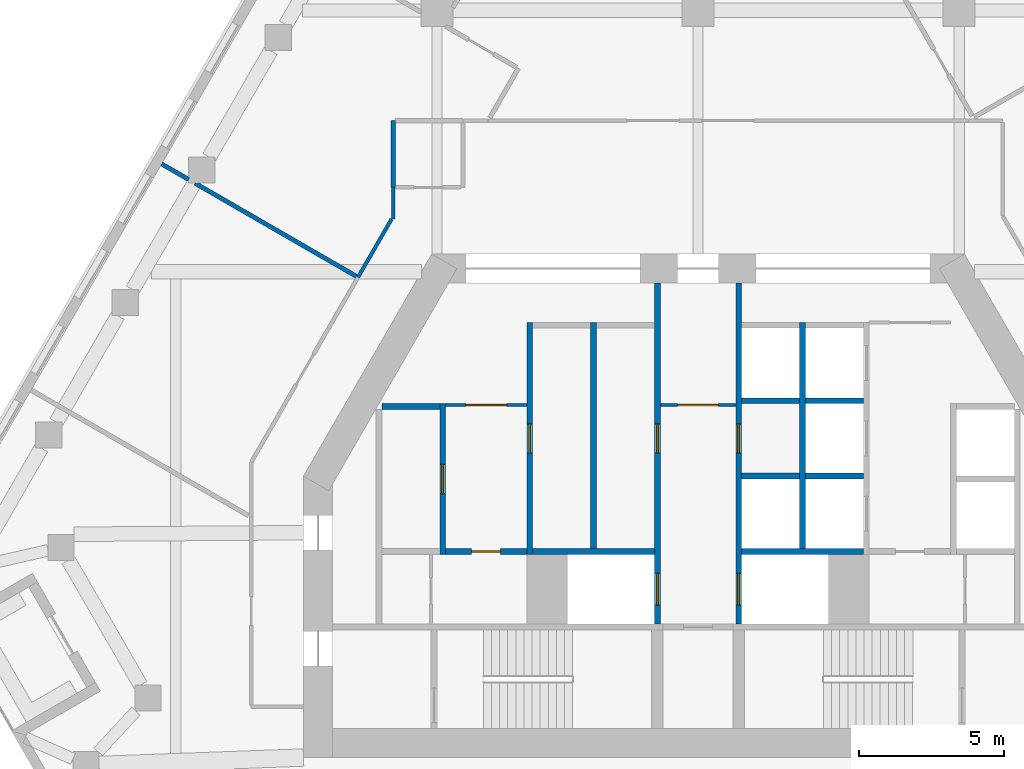
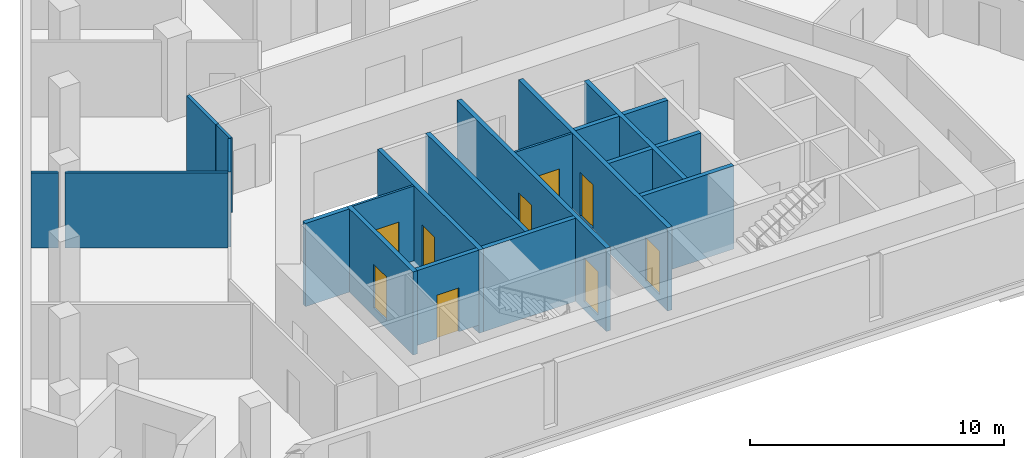
# One storey, part 3 of 8: 21 walls, 9 doors, 9 openings.
"""IFC4 building model written with IfcOpenShell, lengths in metres."""

from ifc_helpers import new_model, si_unit, direction, frame, frame_2d, origin, place, context, subcontext, project, spatial, rectangle, extrude, material, layer, layer_set, type_object, element, fill, save


model = new_model("IFC4")

# Units and contexts
model_context = context("Model", 3, precision=1e-05, world=origin(), true_north=direction((0.0, 1.0)))
body_context = subcontext(model_context, "Body", "Model", "MODEL_VIEW")
ifc_project = project(units=[si_unit("LENGTHUNIT", "METRE"), si_unit("AREAUNIT", "SQUARE_METRE"), si_unit("VOLUMEUNIT", "CUBIC_METRE"), si_unit("PLANEANGLEUNIT", "RADIAN"), si_unit("MASSUNIT", "GRAM", prefix="KILO")], contexts=[model_context])

# Site, building, storey
site_placement = place(None, origin())
site = spatial("IfcSite", under=ifc_project, at=site_placement, CompositionType="ELEMENT")
building_placement = place(site_placement, origin())
building = spatial("IfcBuilding", under=site, at=building_placement, Name="Fogline Exchange Tower", CompositionType="ELEMENT")
storey_placement = place(building_placement, frame((0.0, 0.0, 223.5)))
storey = spatial("IfcBuildingStorey", under=building, at=storey_placement, Name="L50", CompositionType="ELEMENT", Elevation=223.5)

# Wall, opening, door
ifc_material_1 = material(Name="Blockwork partition", Category="masonry")
ifc_layer_1 = layer(ifc_material_1, 0.10009765625)
ifc_layer_set_1 = layer_set([ifc_layer_1], Name="CW10")
wall_type_1 = type_object("IfcWallType", Name="CW10", PredefinedType="PARTITIONING", material=ifc_layer_set_1)
wall_1_placement = place(storey_placement, frame((-8.699951171875, 13.39990234375, 0.0), z_axis=(0.0, 0.0, 1.0), x_axis=(1.0, 0.0, 0.0)))
wall_1 = element("IfcWall", 1, at=wall_1_placement, inside=storey, type_object=wall_type_1, Name="Lift lobby partition", PredefinedType="PARTITIONING", context=body_context, shape_type="SweptSolid", body=[
    extrude(rectangle(XDim=2.800048828125, YDim=0.10009765625, at=frame_2d((1.39990234375, 0.0))), origin(), (0.0, 0.0, 1.0), 3.60009765625),
])
opening_1_placement = place(wall_1_placement, frame((0.699951171875, 0.0, 0.0)))
opening_1 = element("IfcOpeningElement", 2, at=opening_1_placement, cuts=wall_1, Name="Opening T16-C006", PredefinedType="OPENING", context=body_context, shape_type="SweptSolid", body=[
    extrude(rectangle(XDim=1.39990234375, YDim=2.10009765625, at=frame_2d((0.699951171875, 1.050048828125))), frame((0.0, 0.06005859375, 0.0), z_axis=(0.0, -1.0, 0.0), x_axis=(1.0, 0.0, 0.0)), (0.0, 0.0, 1.0), 0.1201171875),
])
ifc_material_2 = material(Name="Steel and timber fire door", Category="steel")
door_type_1 = type_object("IfcDoorType", Name="D-LB1", OperationType="DOUBLE_DOOR_SINGLE_SWING", PredefinedType="DOOR", material=ifc_material_2)
door_1_placement = place(opening_1_placement, frame((1.39990234375, 0.0, 0.0), z_axis=(0.0, 0.0, 1.0), x_axis=(-1.0, 0.0, 0.0)))
door_1 = element("IfcDoor", 3, at=door_1_placement, inside=storey, type_object=door_type_1, Name="Door to lift lobby", OperationType="DOUBLE_DOOR_SINGLE_SWING", OverallHeight=2.10009765625, OverallWidth=1.39990234375, PredefinedType="DOOR", context=body_context, shape_type="SweptSolid", body=[
    extrude(rectangle(XDim=1.39990234375, YDim=2.10009765625, at=frame_2d((0.699951171875, 1.050048828125))), frame((0.0, 0.02490234375, 0.0), z_axis=(0.0, -1.0, 0.0), x_axis=(1.0, 0.0, 0.0)), (0.0, 0.0, 1.0), 0.050048828125),
])
fill(opening_1, door_1)

wall_2_placement = place(storey_placement, frame((-1.300048828125, 13.39990234375, 0.0), z_axis=(0.0, 0.0, 1.0), x_axis=(1.0, 0.0, 0.0)))
wall_2 = element("IfcWall", 4, at=wall_2_placement, inside=storey, type_object=wall_type_1, Name="Lift lobby partition", PredefinedType="PARTITIONING", context=body_context, shape_type="SweptSolid", body=[
    extrude(rectangle(XDim=2.60009765625, YDim=0.10009765625, at=frame_2d((1.300048828125, 0.0))), origin(), (0.0, 0.0, 1.0), 3.60009765625),
])
opening_2_placement = place(wall_2_placement, frame((0.60009765625, 0.0, 0.0)))
opening_2 = element("IfcOpeningElement", 5, at=opening_2_placement, cuts=wall_2, Name="Opening T16-C018", PredefinedType="OPENING", context=body_context, shape_type="SweptSolid", body=[
    extrude(rectangle(XDim=1.39990234375, YDim=2.10009765625, at=frame_2d((0.699951171875, 1.050048828125))), frame((0.0, 0.06005859375, 0.0), z_axis=(0.0, -1.0, 0.0), x_axis=(1.0, 0.0, 0.0)), (0.0, 0.0, 1.0), 0.1201171875),
])
door_2_placement = place(opening_2_placement, origin())
door_2 = element("IfcDoor", 6, at=door_2_placement, inside=storey, type_object=door_type_1, Name="Door to firefighting lift lobby", OperationType="DOUBLE_DOOR_SINGLE_SWING", OverallHeight=2.10009765625, OverallWidth=1.39990234375, PredefinedType="DOOR", context=body_context, shape_type="SweptSolid", body=[
    extrude(rectangle(XDim=1.39990234375, YDim=2.10009765625, at=frame_2d((0.699951171875, 1.050048828125))), frame((0.0, 0.02490234375, 0.0), z_axis=(0.0, -1.0, 0.0), x_axis=(1.0, 0.0, 0.0)), (0.0, 0.0, 1.0), 0.050048828125),
])
fill(opening_2, door_2)

ifc_material_3 = material(Name="Concrete C40", Category="concrete")
ifc_layer_2 = layer(ifc_material_3, 0.199951171875)
ifc_layer_set_2 = layer_set([ifc_layer_2], Name="CW20")
wall_type_2 = type_object("IfcWallType", Name="CW20", PredefinedType="SOLIDWALL", material=ifc_layer_set_2)
wall_3_placement = place(storey_placement, frame((-8.699951171875, 8.35009765625, 0.0), z_axis=(0.0, 0.0, 1.0), x_axis=(1.0, 0.0, 0.0)))
wall_3 = element("IfcWall", 7, at=wall_3_placement, inside=storey, type_object=wall_type_2, Name="WC wall", PredefinedType="SOLIDWALL", context=body_context, shape_type="SweptSolid", body=[
    extrude(rectangle(XDim=2.800048828125, YDim=0.199951171875, at=frame_2d((1.39990234375, 0.0))), origin(), (0.0, 0.0, 1.0), 3.60009765625),
])
opening_3_placement = place(wall_3_placement, frame((0.89990234375, 0.0, 0.0)))
opening_3 = element("IfcOpeningElement", 8, at=opening_3_placement, cuts=wall_3, Name="Opening T16-C007", PredefinedType="OPENING", context=body_context, shape_type="SweptSolid", body=[
    extrude(rectangle(XDim=1.0, YDim=2.10009765625, at=frame_2d((0.5, 1.050048828125))), frame((0.0, 0.10986328125, 0.0), z_axis=(0.0, -1.0, 0.0), x_axis=(1.0, 0.0, 0.0)), (0.0, 0.0, 1.0), 0.219970703125),
])
door_type_2 = type_object("IfcDoorType", Name="D-WC1", OperationType="SINGLE_SWING_LEFT", PredefinedType="DOOR", material=ifc_material_2)
door_3_placement = place(opening_3_placement, frame((1.0, 0.0, 0.0), z_axis=(0.0, 0.0, 1.0), x_axis=(-1.0, 0.0, 0.0)))
door_3 = element("IfcDoor", 9, at=door_3_placement, inside=storey, type_object=door_type_2, Name="Door to Men's WC", OperationType="SINGLE_SWING_LEFT", OverallHeight=2.10009765625, OverallWidth=1.0, PredefinedType="DOOR", context=body_context, shape_type="SweptSolid", body=[
    extrude(rectangle(XDim=1.0, YDim=2.10009765625, at=frame_2d((0.5, 1.050048828125))), frame((0.0, 0.02490234375, 0.0), z_axis=(0.0, -1.0, 0.0), x_axis=(1.0, 0.0, 0.0)), (0.0, 0.0, 1.0), 0.050048828125),
])
fill(opening_3, door_3)

ifc_layer_3 = layer(ifc_material_3, 0.199951171875)
ifc_layer_set_3 = layer_set([ifc_layer_3], Name="CW20S")
wall_type_3 = type_object("IfcWallType", Name="CW20S", PredefinedType="SOLIDWALL", material=ifc_layer_set_3)
wall_4_placement = place(storey_placement, frame((-8.800048828125, 8.25, -0.39990234375), z_axis=(0.0, 0.0, 1.0), x_axis=(0.0, 1.0, 0.0)))
wall_4 = element("IfcWall", 10, at=wall_4_placement, inside=storey, type_object=wall_type_3, Name="Lift shaft wall", PredefinedType="SOLIDWALL", context=body_context, shape_type="SweptSolid", body=[
    extrude(rectangle(XDim=5.199951171875, YDim=0.199951171875, at=frame_2d((2.60009765625, 0.0))), origin(), (0.0, 0.0, 1.0), 4.0),
])
opening_4_placement = place(wall_4_placement, frame((2.10009765625, 0.0, 0.39990234375)))
opening_4 = element("IfcOpeningElement", 11, at=opening_4_placement, cuts=wall_4, Name="Opening T16-C001", PredefinedType="OPENING", context=body_context, shape_type="SweptSolid", body=[
    extrude(rectangle(XDim=1.0, YDim=2.10009765625, at=frame_2d((0.5, 1.050048828125))), frame((0.0, 0.10986328125, 0.0), z_axis=(0.0, -1.0, 0.0), x_axis=(1.0, 0.0, 0.0)), (0.0, 0.0, 1.0), 0.219970703125),
])
door_type_3 = type_object("IfcDoorType", Name="D-RM1", OperationType="SINGLE_SWING_LEFT", PredefinedType="DOOR", material=ifc_material_2)
door_4_placement = place(opening_4_placement, origin())
door_4 = element("IfcDoor", 12, at=door_4_placement, inside=storey, type_object=door_type_3, Name="Door to Records Room", OperationType="SINGLE_SWING_RIGHT", OverallHeight=2.10009765625, OverallWidth=1.0, PredefinedType="DOOR", context=body_context, shape_type="SweptSolid", body=[
    extrude(rectangle(XDim=1.0, YDim=2.10009765625, at=frame_2d((0.5, 1.050048828125))), frame((0.0, 0.02490234375, 0.0), z_axis=(0.0, -1.0, 0.0), x_axis=(1.0, 0.0, 0.0)), (0.0, 0.0, 1.0), 0.050048828125),
])
fill(opening_4, door_4)

wall_5_placement = place(storey_placement, frame((-5.800048828125, 8.25, -0.39990234375), z_axis=(0.0, 0.0, 1.0), x_axis=(0.0, 1.0, 0.0)))
wall_5 = element("IfcWall", 13, at=wall_5_placement, inside=storey, type_object=wall_type_3, Name="Lift shaft wall", PredefinedType="SOLIDWALL", context=body_context, shape_type="SweptSolid", body=[
    extrude(rectangle(XDim=8.0, YDim=0.199951171875, at=frame_2d((4.0, 0.0))), origin(), (0.0, 0.0, 1.0), 4.0),
])
opening_5_placement = place(wall_5_placement, frame((3.5, 0.0, 0.39990234375)))
opening_5 = element("IfcOpeningElement", 14, at=opening_5_placement, cuts=wall_5, Name="Opening T16-C002", PredefinedType="OPENING", context=body_context, shape_type="SweptSolid", body=[
    extrude(rectangle(XDim=1.0, YDim=2.10009765625, at=frame_2d((0.5, 1.050048828125))), frame((0.0, 0.10986328125, 0.0), z_axis=(0.0, -1.0, 0.0), x_axis=(1.0, 0.0, 0.0)), (0.0, 0.0, 1.0), 0.219970703125),
])
door_5_placement = place(opening_5_placement, frame((1.0, 0.0, 0.0), z_axis=(0.0, 0.0, 1.0), x_axis=(-1.0, 0.0, 0.0)))
door_5 = element("IfcDoor", 15, at=door_5_placement, inside=storey, type_object=door_type_3, Name="Door to Service Hall", OperationType="SINGLE_SWING_RIGHT", OverallHeight=2.10009765625, OverallWidth=1.0, PredefinedType="DOOR", context=body_context, shape_type="SweptSolid", body=[
    extrude(rectangle(XDim=1.0, YDim=2.10009765625, at=frame_2d((0.5, 1.050048828125))), frame((0.0, 0.02490234375, 0.0), z_axis=(0.0, -1.0, 0.0), x_axis=(1.0, 0.0, 0.0)), (0.0, 0.0, 1.0), 0.050048828125),
])
fill(opening_5, door_5)

# Walls
for number, where, z_axis, x_axis, name in (
    (16, (-3.60009765625, 8.449951171875, -0.39990234375), (0.0, 0.0, 1.0), (0.0, 1.0, 0.0), "Lift shaft wall"),
    (17, (3.60009765625, 8.449951171875, -0.39990234375), (0.0, 0.0, 1.0), (0.0, 1.0, 0.0), "Lift shaft wall"),
):
    element("IfcWall", number, at=place(storey_placement, frame(where, z_axis=z_axis, x_axis=x_axis)), inside=storey, type_object=wall_type_3, Name=name, PredefinedType="SOLIDWALL", context=body_context, shape_type="SweptSolid", body=[
        extrude(rectangle(XDim=7.800048828125, YDim=0.199951171875, at=frame_2d((3.89990234375, 0.0))), origin(), (0.0, 0.0, 1.0), 4.0),
    ])

# Wall, openings, doors
wall_6_placement = place(storey_placement, frame((-1.39990234375, 5.85009765625, -0.39990234375), z_axis=(0.0, 0.0, 1.0), x_axis=(0.0, 1.0, 0.0)))
wall_6 = element("IfcWall", 18, at=wall_6_placement, inside=storey, type_object=wall_type_3, Name="Lift lobby wall", PredefinedType="SOLIDWALL", context=body_context, shape_type="SweptSolid", body=[
    extrude(rectangle(XDim=11.75, YDim=0.199951171875, at=frame_2d((5.875, 0.0))), origin(), (0.0, 0.0, 1.0), 4.0),
])
opening_6_placement = place(wall_6_placement, frame((0.64990234375, 0.0, 0.39990234375)))
opening_6 = element("IfcOpeningElement", 19, at=opening_6_placement, cuts=wall_6, Name="Opening T16-LD01", PredefinedType="OPENING", context=body_context, shape_type="SweptSolid", body=[
    extrude(rectangle(XDim=1.10009765625, YDim=2.10009765625, at=frame_2d((0.550048828125, 1.050048828125))), frame((0.0, 0.10986328125, 0.0), z_axis=(0.0, -1.0, 0.0), x_axis=(1.0, 0.0, 0.0)), (0.0, 0.0, 1.0), 0.219970703125),
])
opening_7_placement = place(wall_6_placement, frame((5.89990234375, 0.0, 0.39990234375)))
opening_7 = element("IfcOpeningElement", 20, at=opening_7_placement, cuts=wall_6, Name="Opening T16-C003", PredefinedType="OPENING", context=body_context, shape_type="SweptSolid", body=[
    extrude(rectangle(XDim=1.0, YDim=2.10009765625, at=frame_2d((0.5, 1.050048828125))), frame((0.0, 0.10986328125, 0.0), z_axis=(0.0, -1.0, 0.0), x_axis=(1.0, 0.0, 0.0)), (0.0, 0.0, 1.0), 0.219970703125),
])
door_6_placement = place(opening_7_placement, origin())
door_6 = element("IfcDoor", 21, at=door_6_placement, inside=storey, type_object=door_type_3, Name="Door to Records Hall", OperationType="SINGLE_SWING_LEFT", OverallHeight=2.10009765625, OverallWidth=1.0, PredefinedType="DOOR", context=body_context, shape_type="SweptSolid", body=[
    extrude(rectangle(XDim=1.0, YDim=2.10009765625, at=frame_2d((0.5, 1.050048828125))), frame((0.0, 0.02490234375, 0.0), z_axis=(0.0, -1.0, 0.0), x_axis=(1.0, 0.0, 0.0)), (0.0, 0.0, 1.0), 0.050048828125),
])
fill(opening_7, door_6)
door_type_4 = type_object("IfcDoorType", Name="LD2", OperationType="SLIDING_TO_RIGHT", PredefinedType="DOOR", material=ifc_material_2)
door_7_placement = place(opening_6_placement, origin())
door_7 = element("IfcDoor", 22, at=door_7_placement, inside=storey, type_object=door_type_4, Name="Landing door FF1", OperationType="SLIDING_TO_RIGHT", OverallHeight=2.10009765625, OverallWidth=1.10009765625, PredefinedType="DOOR", context=body_context, shape_type="SweptSolid", body=[
    extrude(rectangle(XDim=1.10009765625, YDim=2.10009765625, at=frame_2d((0.550048828125, 1.050048828125))), frame((0.0, 0.02490234375, 0.0), z_axis=(0.0, -1.0, 0.0), x_axis=(1.0, 0.0, 0.0)), (0.0, 0.0, 1.0), 0.050048828125),
])
fill(opening_6, door_7)

wall_7_placement = place(storey_placement, frame((1.39990234375, 5.85009765625, -0.39990234375), z_axis=(0.0, 0.0, 1.0), x_axis=(0.0, 1.0, 0.0)))
wall_7 = element("IfcWall", 23, at=wall_7_placement, inside=storey, type_object=wall_type_3, Name="Lift lobby wall", PredefinedType="SOLIDWALL", context=body_context, shape_type="SweptSolid", body=[
    extrude(rectangle(XDim=11.75, YDim=0.199951171875, at=frame_2d((5.875, 0.0))), origin(), (0.0, 0.0, 1.0), 4.0),
])
opening_8_placement = place(wall_7_placement, frame((0.64990234375, 0.0, 0.39990234375)))
opening_8 = element("IfcOpeningElement", 24, at=opening_8_placement, cuts=wall_7, Name="Opening T16-LD05", PredefinedType="OPENING", context=body_context, shape_type="SweptSolid", body=[
    extrude(rectangle(XDim=1.10009765625, YDim=2.10009765625, at=frame_2d((0.550048828125, 1.050048828125))), frame((0.0, 0.10986328125, 0.0), z_axis=(0.0, -1.0, 0.0), x_axis=(1.0, 0.0, 0.0)), (0.0, 0.0, 1.0), 0.219970703125),
])
opening_9_placement = place(wall_7_placement, frame((5.89990234375, 0.0, 0.39990234375)))
opening_9 = element("IfcOpeningElement", 25, at=opening_9_placement, cuts=wall_7, Name="Opening T16-C004", PredefinedType="OPENING", context=body_context, shape_type="SweptSolid", body=[
    extrude(rectangle(XDim=1.0, YDim=2.10009765625, at=frame_2d((0.5, 1.050048828125))), frame((0.0, 0.10986328125, 0.0), z_axis=(0.0, -1.0, 0.0), x_axis=(1.0, 0.0, 0.0)), (0.0, 0.0, 1.0), 0.219970703125),
])
door_8_placement = place(opening_9_placement, frame((1.0, 0.0, 0.0), z_axis=(0.0, 0.0, 1.0), x_axis=(-1.0, 0.0, 0.0)))
door_8 = element("IfcDoor", 26, at=door_8_placement, inside=storey, type_object=door_type_3, Name="Door to Plant Room", OperationType="SINGLE_SWING_RIGHT", OverallHeight=2.10009765625, OverallWidth=1.0, PredefinedType="DOOR", context=body_context, shape_type="SweptSolid", body=[
    extrude(rectangle(XDim=1.0, YDim=2.10009765625, at=frame_2d((0.5, 1.050048828125))), frame((0.0, 0.02490234375, 0.0), z_axis=(0.0, -1.0, 0.0), x_axis=(1.0, 0.0, 0.0)), (0.0, 0.0, 1.0), 0.050048828125),
])
fill(opening_9, door_8)
door_9_placement = place(opening_8_placement, origin())
door_9 = element("IfcDoor", 27, at=door_9_placement, inside=storey, type_object=door_type_4, Name="Landing door FF2", OperationType="SLIDING_TO_RIGHT", OverallHeight=2.10009765625, OverallWidth=1.10009765625, PredefinedType="DOOR", context=body_context, shape_type="SweptSolid", body=[
    extrude(rectangle(XDim=1.10009765625, YDim=2.10009765625, at=frame_2d((0.550048828125, 1.050048828125))), frame((0.0, 0.02490234375, 0.0), z_axis=(0.0, -1.0, 0.0), x_axis=(1.0, 0.0, 0.0)), (0.0, 0.0, 1.0), 0.050048828125),
])
fill(opening_8, door_9)

# Walls
for number, where, z_axis, x_axis, name in (
    (28, (-5.699951171875, 8.35009765625, -0.39990234375), (0.0, 0.0, 1.0), (1.0, 0.0, 0.0), "Lift shaft wall"),
    (29, (1.5, 8.35009765625, -0.39990234375), (0.0, 0.0, 1.0), (1.0, 0.0, 0.0), "Lift shaft wall"),
):
    element("IfcWall", number, at=place(storey_placement, frame(where, z_axis=z_axis, x_axis=x_axis)), inside=storey, type_object=wall_type_3, Name=name, PredefinedType="SOLIDWALL", context=body_context, shape_type="SweptSolid", body=[
        extrude(rectangle(XDim=4.199951171875, YDim=0.199951171875, at=frame_2d((2.10009765625, 0.0))), origin(), (0.0, 0.0, 1.0), 4.0),
    ])
for number, where, z_axis, x_axis, name in (
    (30, (-10.89990234375, 13.35009765625, -0.39990234375), (0.0, 0.0, 1.0), (1.0, 0.0, 0.0), "Lift shaft wall"),
    (31, (3.699951171875, 10.949951171875, -0.39990234375), (0.0, 0.0, 1.0), (1.0, 0.0, 0.0), "Lift shaft wall"),
    (32, (3.699951171875, 13.550048828125, -0.39990234375), (0.0, 0.0, 1.0), (1.0, 0.0, 0.0), "Lift shaft wall"),
    (33, (1.5, 10.949951171875, -0.39990234375), (0.0, 0.0, 1.0), (1.0, 0.0, 0.0), "Lift shaft wall"),
    (34, (1.5, 13.550048828125, -0.39990234375), (0.0, 0.0, 1.0), (1.0, 0.0, 0.0), "Lift shaft wall"),
):
    element("IfcWall", number, at=place(storey_placement, frame(where, z_axis=z_axis, x_axis=x_axis)), inside=storey, type_object=wall_type_3, Name=name, PredefinedType="SOLIDWALL", context=body_context, shape_type="SweptSolid", body=[
        extrude(rectangle(XDim=2.0, YDim=0.199951171875, at=frame_2d((1.0, 0.0))), origin(), (0.0, 0.0, 1.0), 4.0),
    ])
ifc_material_4 = material(Name="Plasterboard corridor partition with mineral wool, 2 layers each side")
ifc_layer_4 = layer(ifc_material_4, 0.125)
ifc_layer_set_4 = layer_set([ifc_layer_4], Name="PW2")
wall_type_4 = type_object("IfcWallType", Name="PW2", PredefinedType="PARTITIONING", material=ifc_layer_set_4)
wall_8_placement = place(storey_placement, frame((-10.5, 19.80615234375, 0.0), z_axis=(0.0, 0.0, 1.0), x_axis=(0.0, 1.0, 0.0)))
element("IfcWall", 35, at=wall_8_placement, inside=storey, type_object=wall_type_4, Name="wall-L50-W008", PredefinedType="PARTITIONING", context=body_context, shape_type="SweptSolid", body=[
    extrude(rectangle(XDim=1.09375, YDim=0.125, at=frame_2d((0.546875, 0.0))), origin(), (0.0, 0.0, 1.0), 3.60009765625),
])
wall_9_placement = place(storey_placement, frame((-11.719482421875, 17.802490234375, 0.0), z_axis=(0.0, 0.0, 1.0), x_axis=(0.500008624609, 0.866020424307, 0.0)))
element("IfcWall", 36, at=wall_9_placement, inside=storey, type_object=wall_type_4, Name="wall-L50-W012", PredefinedType="PARTITIONING", context=body_context, shape_type="SweptSolid", body=[
    extrude(rectangle(XDim=2.31396484375, YDim=0.125, at=frame_2d((1.156982421875, 0.0))), origin(), (0.0, 0.0, 1.0), 3.60009765625),
])
ifc_material_5 = material(Name="Plasterboard demising partition with mineral wool and acoustic board")
ifc_layer_5 = layer(ifc_material_5, 0.14990234375)
ifc_layer_set_5 = layer_set([ifc_layer_5], Name="PW3")
wall_type_5 = type_object("IfcWallType", Name="PW3", PredefinedType="PARTITIONING", material=ifc_layer_set_5)
wall_10_placement = place(storey_placement, frame((-10.5, 23.199951171875, 0.0), z_axis=(0.0, 0.0, 1.0), x_axis=(0.0, -1.0, 0.0)))
element("IfcWall", 37, at=wall_10_placement, inside=storey, type_object=wall_type_5, Name="wall-L50-W041", PredefinedType="PARTITIONING", context=body_context, shape_type="SweptSolid", body=[
    extrude(rectangle(XDim=2.300048828125, YDim=0.14990234375, at=frame_2d((1.14990234375, 0.0))), origin(), (0.0, 0.0, 1.0), 3.60009765625),
])
wall_11_placement = place(storey_placement, frame((-11.773681640625, 17.833740234375, 0.0), z_axis=(0.0, 0.0, 1.0), x_axis=(-0.866027912795, 0.499995654241, 0.0)))
element("IfcWall", 38, at=wall_11_placement, inside=storey, type_object=wall_type_5, Name="wall-L50-W042", PredefinedType="PARTITIONING", context=body_context, shape_type="SweptSolid", body=[
    extrude(rectangle(XDim=6.42041015625, YDim=0.14990234375, at=frame_2d((3.210205078125, 0.0))), origin(), (0.0, 0.0, 1.0), 3.60009765625),
])
wall_12_placement = place(storey_placement, frame((-17.55517578125, 21.171630859375, 0.0), z_axis=(0.0, 0.0, 1.0), x_axis=(-0.86605716012, 0.499944992379, 0.0)))
element("IfcWall", 39, at=wall_12_placement, inside=storey, type_object=wall_type_5, Name="wall-L50-W043", PredefinedType="PARTITIONING", context=body_context, shape_type="SweptSolid", body=[
    extrude(rectangle(XDim=1.076171875, YDim=0.14990234375, at=frame_2d((0.5380859375, 0.0))), origin(), (0.0, 0.0, 1.0), 3.60009765625),
])

save(model, "model.ifc")
